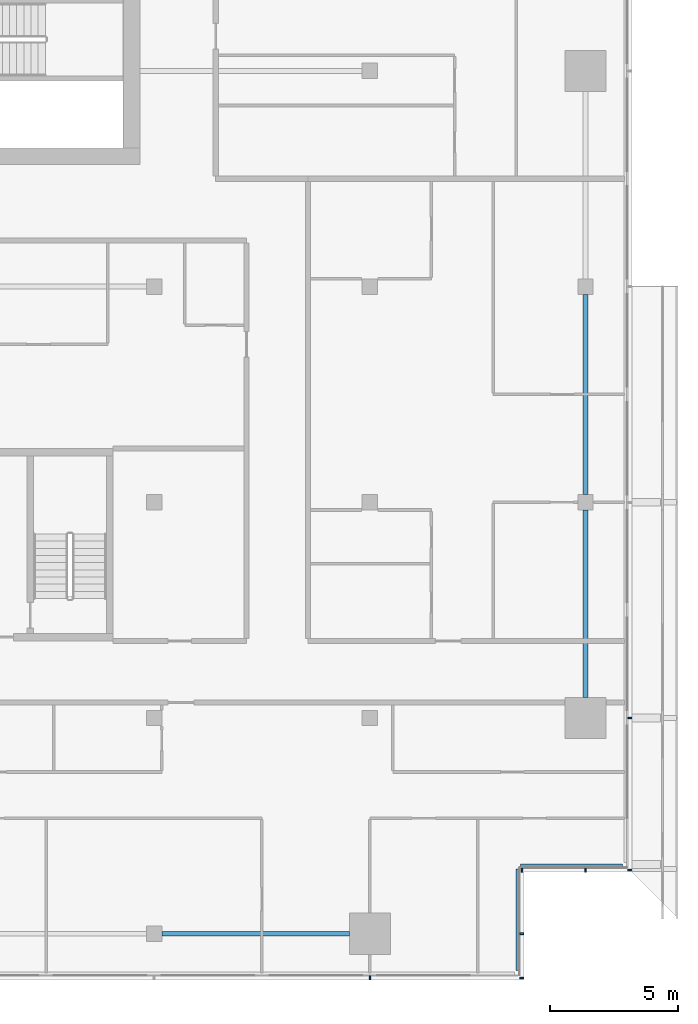
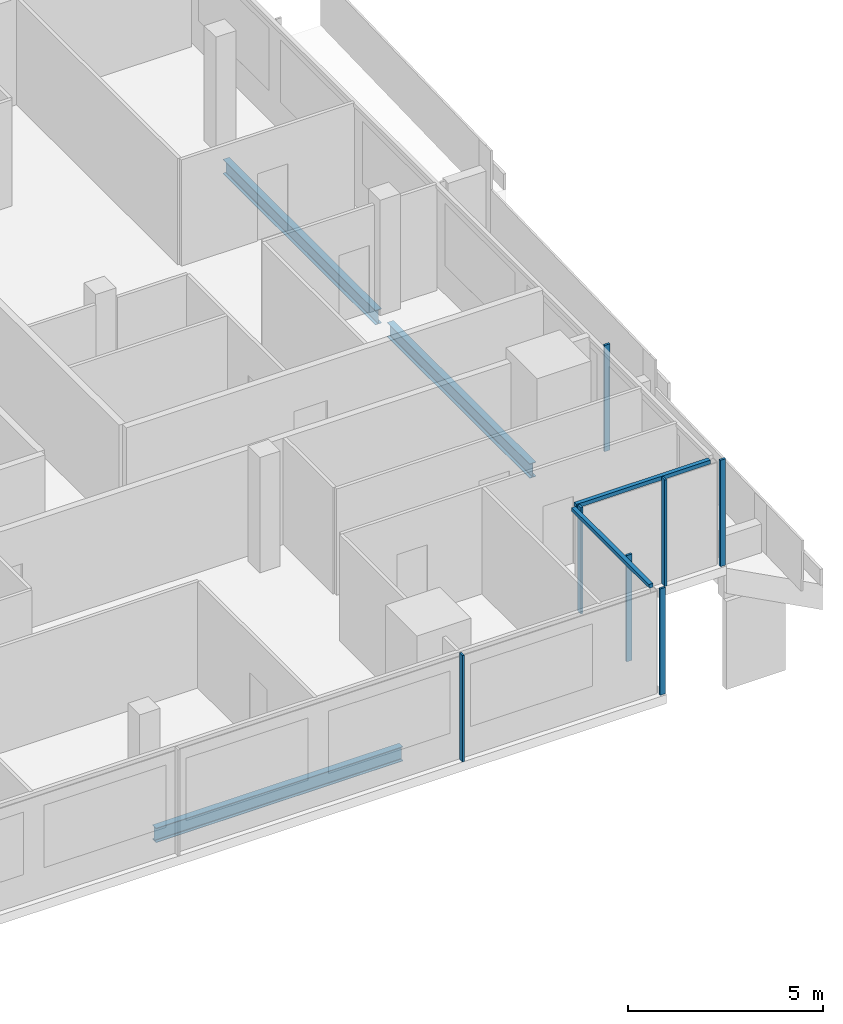
# One storey, part 10 of 28: 9 members, 3 beams, 4 elements without a shape of their own.
"""IFC4 building model written with IfcOpenShell, lengths in metres."""

from ifc_helpers import new_model, si_unit, direction, frame, origin, origin_2d, place, context, subcontext, project, spatial, rectangle, i_section, extrude, material, material_profile, profile_set, type_object, element, aggregate, save


model = new_model("IFC4")

# Units and contexts
model_context = context("Model", 3, precision=1e-05, world=origin(), true_north=direction((0.0, 1.0)))
body_context = subcontext(model_context, "Body", "Model", "MODEL_VIEW")
ifc_project = project(units=[si_unit("LENGTHUNIT", "METRE"), si_unit("AREAUNIT", "SQUARE_METRE"), si_unit("VOLUMEUNIT", "CUBIC_METRE"), si_unit("PLANEANGLEUNIT", "RADIAN"), si_unit("MASSUNIT", "GRAM", prefix="KILO")], contexts=[model_context])

# Site, building, storey
site_placement = place(None, origin())
site = spatial("IfcSite", under=ifc_project, at=site_placement, CompositionType="ELEMENT")
building_placement = place(site_placement, origin())
building = spatial("IfcBuilding", under=site, at=building_placement, Name="Saffron Gate Tower", CompositionType="ELEMENT")
storey_placement = place(building_placement, frame((0.0, 0.0, 241.5)))
storey = spatial("IfcBuildingStorey", under=building, at=storey_placement, Name="L59", CompositionType="ELEMENT", Elevation=241.5)

# Beams
ifc_material_1 = material(Name="Structural steel S355", Category="steel")
ifc_material_profile_1 = material_profile(ifc_material_1, i_section(OverallWidth=0.18994140625, OverallDepth=0.449951171875, WebThickness=0.009521484375, FlangeThickness=0.0146484375, FilletRadius=0.02099609375, at=origin_2d()))
ifc_profile_set_1 = profile_set([ifc_material_profile_1], Name="Structural steel S355")
beam_type = type_object("IfcBeamType", Name="B7 IPE 450", PredefinedType="SPANDREL", material=ifc_profile_set_1)
for number, where, z_axis, x_axis, name in (
    (1, (108.89990234375, 31.800048828125, -0.5048828125), (1.0, 0.0, 0.0), (0.0, 1.0, 0.0), "B7 SPANDREL BEAM"),
    (2, (125.39990234375, 41.0, -0.5048828125), (0.0, 1.0, 0.0), (-1.0, 0.0, 0.0), "B7 SPANDREL BEAM"),
):
    element("IfcBeam", number, at=place(storey_placement, frame(where, z_axis=z_axis, x_axis=x_axis)), inside=storey, type_object=beam_type, Name=name, PredefinedType="SPANDREL", context=body_context, shape_type="SweptSolid", body=[
        extrude(i_section(OverallWidth=0.18994140625, OverallDepth=0.449951171875, WebThickness=0.009521484375, FlangeThickness=0.0146484375, FilletRadius=0.02099609375, at=origin_2d()), origin(), (0.0, 0.0, 1.0), 7.300048828125),
    ])
beam_placement = place(storey_placement, frame((125.39990234375, 48.89990234375, -0.5048828125), z_axis=(0.0, 1.0, 0.0), x_axis=(-1.0, 0.0, 0.0)))
element("IfcBeam", 3, at=beam_placement, inside=storey, type_object=beam_type, Name="B7 SPANDREL BEAM", PredefinedType="SPANDREL", context=body_context, shape_type="SweptSolid", body=[
    extrude(i_section(OverallWidth=0.18994140625, OverallDepth=0.449951171875, WebThickness=0.009521484375, FlangeThickness=0.0146484375, FilletRadius=0.02099609375, at=origin_2d()), origin(), (0.0, 0.0, 1.0), 7.800048828125),
])

# Curtain wall, member
ifc_material_2 = material(Name="Aluminium, bronze anodised", Category="aluminium")
curtain_wall_type_1 = type_object("IfcCurtainWallType", Name="CWS1 curtain wall front facade", PredefinedType="NOTDEFINED", material=ifc_material_2)
curtain_wall_1_placement = place(storey_placement, origin())
curtain_wall_1 = element("IfcCurtainWall", 4, at=curtain_wall_1_placement, inside=storey, type_object=curtain_wall_type_1, Name="CWS1 run 1", PredefinedType="NOTDEFINED")
ifc_material_profile_2 = material_profile(ifc_material_2, rectangle(XDim=0.159912109375, YDim=0.06005859375, at=origin_2d()))
ifc_profile_set_2 = profile_set([ifc_material_profile_2], Name="Aluminium, bronze anodised")
member_type_1 = type_object("IfcMemberType", Name="CWS1 mullion 60x160", PredefinedType="MULLION", material=ifc_profile_set_2)
member_1_placement = place(storey_placement, frame((117.0, 30.080078125, 0.0), z_axis=(0.0, 0.0, 1.0), x_axis=(0.0, 1.0, 0.0)))
member_1 = element("IfcMember", 5, at=member_1_placement, type_object=member_type_1, Name="CWS1 mullion 9", PredefinedType="MULLION", context=body_context, shape_type="SweptSolid", body=[
    extrude(rectangle(XDim=0.159912109375, YDim=0.06005859375, at=origin_2d()), origin(), (0.0, 0.0, 1.0), 3.320068359375),
])
aggregate(curtain_wall_1, [member_1])

# Curtain wall, members
curtain_wall_type_2 = type_object("IfcCurtainWallType", Name="CWS2 curtain wall side facades", PredefinedType="NOTDEFINED", material=ifc_material_2)
curtain_wall_2_placement = place(storey_placement, origin())
curtain_wall_2 = element("IfcCurtainWall", 6, at=curtain_wall_2_placement, inside=storey, type_object=curtain_wall_type_2, Name="CWS2 run 4", PredefinedType="NOTDEFINED")
ifc_material_profile_3 = material_profile(ifc_material_2, rectangle(XDim=0.159912109375, YDim=0.06005859375, at=origin_2d()))
ifc_profile_set_3 = profile_set([ifc_material_profile_3], Name="Aluminium, bronze anodised")
member_type_2 = type_object("IfcMemberType", Name="CWS2 mullion 60x160", PredefinedType="MULLION", material=ifc_profile_set_3)
member_2_placement = place(storey_placement, frame((127.1201171875, 34.280029296875, 0.0), z_axis=(0.0, 0.0, 1.0), x_axis=(-1.0, 0.0, 0.0)))
member_2 = element("IfcMember", 7, at=member_2_placement, type_object=member_type_2, Name="CWS2 mullion 1", PredefinedType="MULLION", context=body_context, shape_type="SweptSolid", body=[
    extrude(rectangle(XDim=0.159912109375, YDim=0.06005859375, at=origin_2d()), origin(), (0.0, 0.0, 1.0), 3.320068359375),
])
member_3_placement = place(storey_placement, frame((127.1201171875, 40.199951171875, 0.0), z_axis=(0.0, 0.0, 1.0), x_axis=(-1.0, 0.0, 0.0)))
member_3 = element("IfcMember", 8, at=member_3_placement, type_object=member_type_2, Name="CWS2 mullion 2", PredefinedType="MULLION", context=body_context, shape_type="SweptSolid", body=[
    extrude(rectangle(XDim=0.159912109375, YDim=0.06005859375, at=origin_2d()), origin(), (0.0, 0.0, 1.0), 3.320068359375),
])
aggregate(curtain_wall_2, [member_2, member_3])

# Curtain wall, member
curtain_wall_type_3 = type_object("IfcCurtainWallType", Name="CWS4 curtain wall corner returns", PredefinedType="NOTDEFINED", material=ifc_material_2)
curtain_wall_3_placement = place(storey_placement, origin())
curtain_wall_3 = element("IfcCurtainWall", 9, at=curtain_wall_3_placement, inside=storey, type_object=curtain_wall_type_3, Name="CWS4 run 2", PredefinedType="NOTDEFINED")
ifc_material_profile_4 = material_profile(ifc_material_2, rectangle(XDim=0.1201171875, YDim=0.1201171875, at=origin_2d()))
ifc_profile_set_4 = profile_set([ifc_material_profile_4], Name="Aluminium, bronze anodised")
member_type_3 = type_object("IfcMemberType", Name="CWS4 head transom", PredefinedType="USERDEFINED", material=ifc_profile_set_4)
member_4_placement = place(storey_placement, frame((122.751953125, 30.367919921875, 3.260009765625), z_axis=(0.0, 1.0, 0.0), x_axis=(-1.0, 0.0, 0.0)))
member_4 = element("IfcMember", 10, at=member_4_placement, type_object=member_type_3, Name="CWS4 head transom", ObjectType="TRANSOM", PredefinedType="USERDEFINED", context=body_context, shape_type="SweptSolid", body=[
    extrude(rectangle(XDim=0.1201171875, YDim=0.1201171875, at=origin_2d()), origin(), (0.0, 0.0, 1.0), 3.9599609375),
])

curtain_wall_4_placement = place(storey_placement, origin())
curtain_wall_4 = element("IfcCurtainWall", 11, at=curtain_wall_4_placement, inside=storey, type_object=curtain_wall_type_3, Name="CWS4 run 3", PredefinedType="NOTDEFINED")
member_5_placement = place(storey_placement, frame((122.8720703125, 34.447998046875, 3.260009765625), z_axis=(1.0, 0.0, 0.0), x_axis=(0.0, 1.0, 0.0)))
member_5 = element("IfcMember", 12, at=member_5_placement, type_object=member_type_3, Name="CWS4 head transom", ObjectType="TRANSOM", PredefinedType="USERDEFINED", context=body_context, shape_type="SweptSolid", body=[
    extrude(rectangle(XDim=0.1201171875, YDim=0.1201171875, at=origin_2d()), origin(), (0.0, 0.0, 1.0), 3.9599609375),
])

# Member
ifc_material_profile_5 = material_profile(ifc_material_2, rectangle(XDim=0.159912109375, YDim=0.06005859375, at=origin_2d()))
ifc_profile_set_5 = profile_set([ifc_material_profile_5], Name="Aluminium, bronze anodised")
member_type_4 = type_object("IfcMemberType", Name="CWS4 mullion 60x160", PredefinedType="MULLION", material=ifc_profile_set_5)
member_6_placement = place(storey_placement, frame((122.919921875, 30.080078125, 0.0), z_axis=(0.0, 0.0, 1.0), x_axis=(-1.0, 0.0, 0.0)))
member_6 = element("IfcMember", 13, at=member_6_placement, type_object=member_type_4, Name="CWS4 mullion 1", PredefinedType="MULLION", context=body_context, shape_type="SweptSolid", body=[
    extrude(rectangle(XDim=0.159912109375, YDim=0.06005859375, at=origin_2d()), origin(), (0.0, 0.0, 1.0), 3.320068359375),
])

member_7_placement = place(storey_placement, frame((122.919921875, 31.800048828125, 0.0), z_axis=(0.0, 0.0, 1.0), x_axis=(-1.0, 0.0, 0.0)))
member_7 = element("IfcMember", 14, at=member_7_placement, type_object=member_type_4, Name="CWS4 mullion 2", PredefinedType="MULLION", context=body_context, shape_type="SweptSolid", body=[
    extrude(rectangle(XDim=0.159912109375, YDim=0.06005859375, at=origin_2d()), origin(), (0.0, 0.0, 1.0), 3.320068359375),
])

aggregate(curtain_wall_3, [member_6, member_7, member_4])

member_8_placement = place(storey_placement, frame((122.919921875, 34.280029296875, 0.0), z_axis=(0.0, 0.0, 1.0), x_axis=(0.0, 1.0, 0.0)))
member_8 = element("IfcMember", 15, at=member_8_placement, type_object=member_type_4, Name="CWS4 mullion 1", PredefinedType="MULLION", context=body_context, shape_type="SweptSolid", body=[
    extrude(rectangle(XDim=0.159912109375, YDim=0.06005859375, at=origin_2d()), origin(), (0.0, 0.0, 1.0), 3.320068359375),
])

member_9_placement = place(storey_placement, frame((125.39990234375, 34.280029296875, 0.0), z_axis=(0.0, 0.0, 1.0), x_axis=(0.0, 1.0, 0.0)))
member_9 = element("IfcMember", 16, at=member_9_placement, type_object=member_type_4, Name="CWS4 mullion 2", PredefinedType="MULLION", context=body_context, shape_type="SweptSolid", body=[
    extrude(rectangle(XDim=0.159912109375, YDim=0.06005859375, at=origin_2d()), origin(), (0.0, 0.0, 1.0), 3.320068359375),
])

aggregate(curtain_wall_4, [member_8, member_9, member_5])

save(model, "model.ifc")
